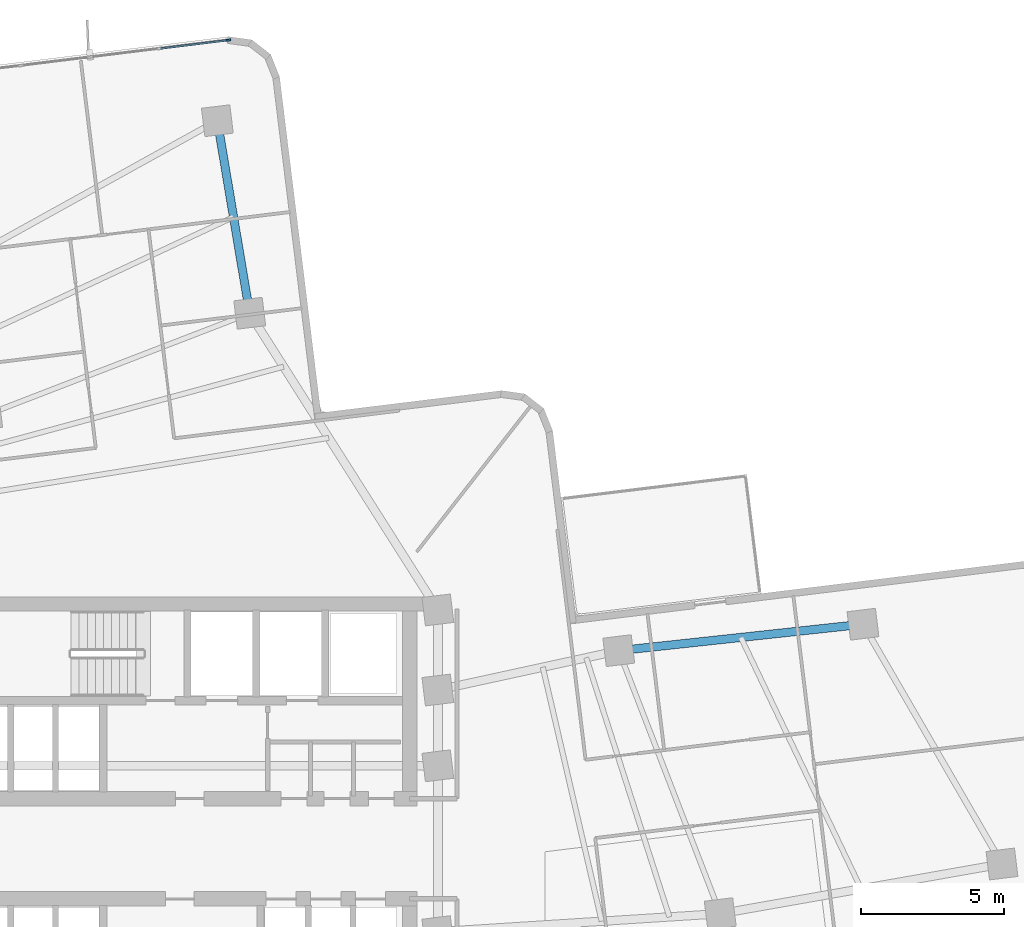
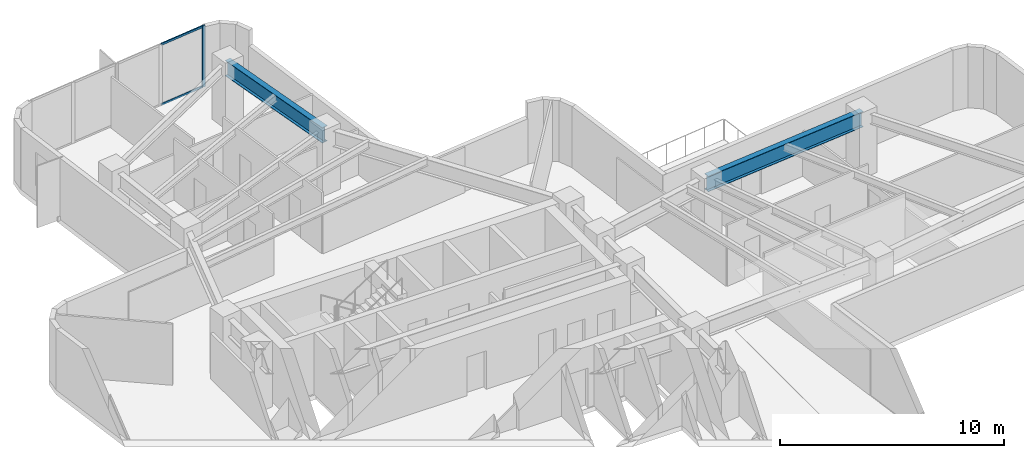
# One storey, part 5 of 13: 3 members, 2 beams, 1 element without a shape of its own.
"""IFC4 building model written with IfcOpenShell, lengths in metres."""

import ifcopenshell
import ifcopenshell.guid

model = None  # the IFC model being written
_history = None  # IfcOwnerHistory: only IFC2X3 demands one
_inside = {}  # id of a spatial element -> (the spatial element, [elements in it])
_under = {}  # id of a project, library or spatial element -> (it, [spatial elements below it])
_declared = {}  # id of a project -> (the project, [libraries it declares])
_typed = {}  # id of a type object -> (the type object, [elements of that type])
_made_of = {}  # id of a material, layer set ... -> (it, [elements and type objects made of it])


def new_model(schema):
    """Start an empty IFC model of exactly this schema.

    Asked for "IFC4X3", IfcOpenShell would pick the latest addendum, in which some entities
    have other attributes; the version numbers below select the first issue.
    IFC2X3 requires an IfcOwnerHistory on every rooted entity: one is made here for all.
    """
    global model, _history
    if schema == "IFC4X3":
        model = ifcopenshell.file(schema_version=(4, 3, 0, 0))
    else:
        model = ifcopenshell.file(schema=schema)
    _inside.clear()
    _under.clear()
    _declared.clear()
    _typed.clear()
    _made_of.clear()
    _history = None
    if model.schema == "IFC2X3":
        org = make("IfcOrganization", Name="unknown")
        user = make(
            "IfcPersonAndOrganization",
            ThePerson=make("IfcPerson", FamilyName="unknown"),
            TheOrganization=org,
        )
        app = make(
            "IfcApplication",
            ApplicationDeveloper=org,
            Version="unknown",
            ApplicationFullName="unknown",
            ApplicationIdentifier="unknown",
        )
        _history = make(
            "IfcOwnerHistory",
            OwningUser=user,
            OwningApplication=app,
            ChangeAction="ADDED",
            CreationDate=0,
        )
    return model


def make(cls, **values):
    """One entity of the class cls with the attributes given. An attribute that is None is left unset."""
    return model.create_entity(
        cls, **{name: value for name, value in values.items() if value is not None}
    )


def rooted(cls, **values):
    """An entity with a GlobalId (a new one), such as an element, a storey or a relation."""
    return make(cls, GlobalId=ifcopenshell.guid.new(), OwnerHistory=_history, **values)


def si_unit(unit_type, name, prefix=None):
    """IfcSIUnit, for example si_unit("LENGTHUNIT", "METRE", prefix="MILLI")."""
    return make("IfcSIUnit", UnitType=unit_type, Prefix=prefix, Name=name)


def assignment(units):
    """IfcUnitAssignment: the units of a project."""
    return None if units is None else make("IfcUnitAssignment", Units=units)


def point(xyz):
    """IfcCartesianPoint."""
    return None if xyz is None else make("IfcCartesianPoint", Coordinates=xyz)


def direction(xyz):
    """IfcDirection."""
    return None if xyz is None else make("IfcDirection", DirectionRatios=xyz)


def frame(location, z_axis=None, x_axis=None):
    """IfcAxis2Placement3D, a coordinate frame: its origin and axes. An axis left out is left unset."""
    return make(
        "IfcAxis2Placement3D",
        Location=point(location),
        Axis=direction(z_axis),
        RefDirection=direction(x_axis),
    )


def frame_2d(location, x_axis=None):
    """IfcAxis2Placement2D, a coordinate frame in the plane: its origin and x axis."""
    return make(
        "IfcAxis2Placement2D", Location=point(location), RefDirection=direction(x_axis)
    )


def origin():
    """The frame at (0, 0, 0) with its axes left unset."""
    return frame((0.0, 0.0, 0.0))


def origin_2d():
    """The frame at (0, 0) in the plane with its x axis left unset."""
    return frame_2d((0.0, 0.0))


def place(relative_to, where):
    """IfcLocalPlacement: puts the frame where relative to a parent placement (None: the world)."""
    return make(
        "IfcLocalPlacement", PlacementRelTo=relative_to, RelativePlacement=where
    )


def context(
    kind, dimensions, precision=None, world=None, true_north=None, identifier=None
):
    """IfcGeometricRepresentationContext, for example the 3D "Model" context."""
    return make(
        "IfcGeometricRepresentationContext",
        ContextIdentifier=identifier,
        ContextType=kind,
        CoordinateSpaceDimension=dimensions,
        Precision=precision,
        WorldCoordinateSystem=world,
        TrueNorth=true_north,
    )


def subcontext(parent, identifier, kind, view, scale=None):
    """IfcGeometricRepresentationSubContext, for example "Body" below "Model"."""
    return make(
        "IfcGeometricRepresentationSubContext",
        ContextIdentifier=identifier,
        ContextType=kind,
        ParentContext=parent,
        TargetScale=scale,
        TargetView=view,
    )


def project(units=None, contexts=None):
    """IfcProject with its units and contexts."""
    return rooted(
        "IfcProject",
        Name="project",
        RepresentationContexts=contexts,
        UnitsInContext=assignment(units),
    )


def spatial(cls, under=None, at=None, **own):
    """A site, building, storey or space (cls), placed at a placement, below another one or the project."""
    s = rooted(cls, ObjectPlacement=at, **own)
    if under is not None:
        _under.setdefault(under.id(), (under, []))[1].append(s)
    return s


def profile(cls, at=None, kind="AREA", **sizes):
    """A parametric profile (cls). Its sizes go by their IFC names, for example OverallWidth=200.0."""
    return make(cls, ProfileType=kind, Position=at, **sizes)


def rectangle(**sizes):
    """IfcRectangleProfileDef."""
    return profile("IfcRectangleProfileDef", **sizes)


def i_section(**sizes):
    """IfcIShapeProfileDef."""
    return profile("IfcIShapeProfileDef", **sizes)


def extrude(swept, where, along, depth):
    """IfcExtrudedAreaSolid: the profile swept, set in the frame where, extruded along a direction by depth."""
    return make(
        "IfcExtrudedAreaSolid",
        SweptArea=swept,
        Position=where,
        ExtrudedDirection=direction(along),
        Depth=depth,
    )


def shape(context_of_items, identifier, shape_type, items):
    """IfcShapeRepresentation: the items that make up one representation, for example the "Body"."""
    return make(
        "IfcShapeRepresentation",
        ContextOfItems=context_of_items,
        RepresentationIdentifier=identifier,
        RepresentationType=shape_type,
        Items=items,
    )


def material(Name=None, Category=None):
    """IfcMaterial."""
    return make("IfcMaterial", Name=Name, Category=Category)


def layer(
    of_material, thickness, ventilated=None, Name=None, Category=None, Priority=None
):
    """IfcMaterialLayer: one layer of a wall or slab, of a material (None: an air gap)."""
    return make(
        "IfcMaterialLayer",
        Material=of_material,
        LayerThickness=thickness,
        IsVentilated=ventilated,
        Name=Name,
        Category=Category,
        Priority=Priority,
    )


def layer_set(layers, Name=None):
    """IfcMaterialLayerSet."""
    return make("IfcMaterialLayerSet", MaterialLayers=layers, LayerSetName=Name)


def material_profile(
    of_material, cross_section, Name=None, Category=None, Priority=None
):
    """IfcMaterialProfile: a cross section and its material."""
    return make(
        "IfcMaterialProfile",
        Name=Name,
        Material=of_material,
        Profile=cross_section,
        Priority=Priority,
        Category=Category,
    )


def profile_set(profiles, Name=None, composite=None):
    """IfcMaterialProfileSet."""
    return make(
        "IfcMaterialProfileSet",
        Name=Name,
        MaterialProfiles=profiles,
        CompositeProfile=composite,
    )


def made_of(thing, what):
    """Note that an element or type object is made of a material, layer set ...; save() writes the relation."""
    if what is not None:
        _made_of.setdefault(what.id(), (what, []))[1].append(thing)
    return thing


def type_object(cls, material=None, **own):
    """A type object (cls), such as IfcWallType, which elements share."""
    return made_of(rooted(cls, **own), material)


def element(
    cls,
    number,
    at=None,
    inside=None,
    cuts=None,
    type_object=None,
    material=None,
    context=None,
    identifier="Body",
    shape_type=None,
    held_by="IfcProductDefinitionShape",
    body=None,
    shapes=None,
    **own,
):
    """One element of the class cls, such as IfcWall. Its Tag is "e" and its number.

    at: its placement. inside: the storey or other place that contains it. cuts: it is an
    opening in that element (IfcRelVoidsElement). A single representation is given by context,
    identifier, shape_type and body (its items); several are given by shapes. held_by: the class
    of the entity that holds the representations. save() writes the other relations.
    """
    e = rooted(cls, Tag="e%d" % number, ObjectPlacement=at, **own)
    if body is not None:
        shapes = [shape(context, identifier, shape_type, body)]
    if shapes is not None:
        e.Representation = make(held_by, Representations=shapes)
    if inside is not None:
        _inside.setdefault(inside.id(), (inside, []))[1].append(e)
    if cuts is not None:
        rooted(
            "IfcRelVoidsElement", RelatingBuildingElement=cuts, RelatedOpeningElement=e
        )
    if type_object is not None:
        _typed.setdefault(type_object.id(), (type_object, []))[1].append(e)
    return made_of(e, material)


def aggregate(whole, parts):
    """IfcRelAggregates: a whole, such as a stair, and the parts it consists of."""
    return rooted("IfcRelAggregates", RelatingObject=whole, RelatedObjects=parts)


def save(model, path):
    """Write the relations noted so far, then the file.

    IfcRelAggregates (storeys below a building ...), IfcRelContainedInSpatialStructure (elements
    in a storey), IfcRelDefinesByType, IfcRelAssociatesMaterial and IfcRelDeclares: one each for
    every whole, place, type object, material and project.
    """
    for whole, parts in _under.values():
        aggregate(whole, parts)
    for where, things in _inside.values():
        rooted(
            "IfcRelContainedInSpatialStructure",
            RelatedElements=things,
            RelatingStructure=where,
        )
    for kind, things in _typed.values():
        rooted("IfcRelDefinesByType", RelatedObjects=things, RelatingType=kind)
    for what, things in _made_of.values():
        rooted("IfcRelAssociatesMaterial", RelatedObjects=things, RelatingMaterial=what)
    for by, libraries in _declared.values():
        rooted("IfcRelDeclares", RelatingContext=by, RelatedDefinitions=libraries)
    model.write(path)


model = new_model("IFC4")

# Units and contexts
model_context = context("Model", 3, precision=1e-05, world=origin(), true_north=direction((0.0, 1.0)))
body_context = subcontext(model_context, "Body", "Model", "MODEL_VIEW")
ifc_project = project(units=[si_unit("LENGTHUNIT", "METRE"), si_unit("AREAUNIT", "SQUARE_METRE"), si_unit("VOLUMEUNIT", "CUBIC_METRE"), si_unit("PLANEANGLEUNIT", "RADIAN"), si_unit("MASSUNIT", "GRAM", prefix="KILO")], contexts=[model_context])

# Site, building, storey
site_placement = place(None, origin())
site = spatial("IfcSite", under=ifc_project, at=site_placement, CompositionType="ELEMENT")
building_placement = place(site_placement, origin())
building = spatial("IfcBuilding", under=site, at=building_placement, Name="Solmarez Civic Tower", CompositionType="ELEMENT")
storey_placement = place(building_placement, frame((0.0, 0.0, 82.080078125)))
storey = spatial("IfcBuildingStorey", under=building, at=storey_placement, Name="L21", CompositionType="ELEMENT", Elevation=82.080078125)

# Beams
ifc_material_1 = material(Name="Steel S355", Category="steel")
ifc_material_profile_1 = material_profile(ifc_material_1, i_section(OverallWidth=0.2919921875, OverallDepth=0.845947265625, WebThickness=0.015380859375, FlangeThickness=0.0244140625, at=origin_2d()), Name="W33X141")
ifc_profile_set_1 = profile_set([ifc_material_profile_1], Name="Steel S355")
beam_type = type_object("IfcBeamType", Name="BM-PR-W33X141", PredefinedType="BEAM", material=ifc_profile_set_1)
beam_1_placement = place(storey_placement, frame((15.175048828125, 6.927001953125, 2.9169921875), z_axis=(0.994196782435, 0.107576753045, 0.0), x_axis=(-0.107576753045, 0.994196782435, 0.0)))
element("IfcBeam", 1, at=beam_1_placement, inside=storey, type_object=beam_type, Name="L21 Primary Floor Beam BM-L21-EA-R2B", PredefinedType="BEAM", context=body_context, shape_type="SweptSolid", body=[
    extrude(i_section(OverallWidth=0.2919921875, OverallDepth=0.845947265625, WebThickness=0.015380859375, FlangeThickness=0.0244140625, at=origin_2d()), origin(), (0.0, 0.0, 1.0), 8.58984375),
])
beam_2_placement = place(storey_placement, frame((2.27099609375, 18.72412109375, 2.9169921875), z_axis=(-0.165813708215, 0.986157094062, 0.0), x_axis=(-0.986157094062, -0.165813708215, 0.0)))
element("IfcBeam", 2, at=beam_2_placement, inside=storey, type_object=beam_type, Name="L21 Primary Floor Beam BM-L21-NA-R2A", PredefinedType="BEAM", context=body_context, shape_type="SweptSolid", body=[
    extrude(i_section(OverallWidth=0.2919921875, OverallDepth=0.845947265625, WebThickness=0.015380859375, FlangeThickness=0.0244140625, at=origin_2d()), origin(), (0.0, 0.0, 1.0), 6.827392578125),
])

# Curtain wall, members
ifc_material_2 = material(Name="Bronze Anodised Aluminium EN AW-6063 T6", Category="aluminium")
ifc_layer = layer(ifc_material_2, 0.155029296875)
ifc_layer_set = layer_set([ifc_layer], Name="Bronze Anodised Aluminium EN AW-6063 T6")
curtain_wall_type = type_object("IfcCurtainWallType", Name="CW-SYS-6", PredefinedType="NOTDEFINED", material=ifc_layer_set)
curtain_wall_placement = place(storey_placement, origin())
curtain_wall = element("IfcCurtainWall", 3, at=curtain_wall_placement, inside=storey, type_object=curtain_wall_type, Name="L21 Stick-Built Curtain Wall 2", PredefinedType="NOTDEFINED")
ifc_material_profile_2 = material_profile(ifc_material_2, rectangle(XDim=0.070068359375, YDim=0.179931640625, at=origin_2d()), Name="CWM-70X180")
ifc_profile_set_2 = profile_set([ifc_material_profile_2], Name="Bronze Anodised Aluminium EN AW-6063 T6")
member_type_1 = type_object("IfcMemberType", Name="CWM-TYPE-2", PredefinedType="MULLION", material=ifc_profile_set_2)
member_1_placement = place(storey_placement, frame((1.519287109375, 28.275634765625, 0.0), z_axis=(0.0, 0.0, 1.0), x_axis=(-0.121861314359, 0.992547137451, 0.0)))
member_1 = element("IfcMember", 4, at=member_1_placement, type_object=member_type_1, Name="CWS6 mullion 5", PredefinedType="MULLION", context=body_context, shape_type="SweptSolid", body=[
    extrude(rectangle(XDim=0.070068359375, YDim=0.179931640625, at=origin_2d()), origin(), (0.0, 0.0, 1.0), 3.33984375),
])
ifc_material_profile_3 = material_profile(ifc_material_2, rectangle(XDim=0.06005859375, YDim=0.110107421875, at=origin_2d()), Name="CWT-60X110")
ifc_profile_set_3 = profile_set([ifc_material_profile_3], Name="Bronze Anodised Aluminium EN AW-6063 T6")
member_type_2 = type_object("IfcMemberType", Name="CWT-TYPE-3", PredefinedType="USERDEFINED", material=ifc_profile_set_3)
member_2_placement = place(storey_placement, frame((-0.842529296875, 27.98583984375, 0.030029296875), z_axis=(0.992550967804, 0.121830112498, 0.0), x_axis=(-0.121830112498, 0.992550967804, 0.0)))
member_2 = element("IfcMember", 5, at=member_2_placement, type_object=member_type_2, Name="CWS6 transom 4.1", ObjectType="TRANSOM", PredefinedType="USERDEFINED", context=body_context, shape_type="SweptSolid", body=[
    extrude(rectangle(XDim=0.06005859375, YDim=0.110107421875, at=origin_2d()), origin(), (0.0, 0.0, 1.0), 2.3447265625),
])
member_3_placement = place(storey_placement, frame((-0.842529296875, 27.98583984375, 3.309814453125), z_axis=(0.992550967804, 0.121830112498, 0.0), x_axis=(-0.121830112498, 0.992550967804, 0.0)))
member_3 = element("IfcMember", 6, at=member_3_placement, type_object=member_type_2, Name="CWS6 transom 4.2", ObjectType="TRANSOM", PredefinedType="USERDEFINED", context=body_context, shape_type="SweptSolid", body=[
    extrude(rectangle(XDim=0.06005859375, YDim=0.110107421875, at=origin_2d()), origin(), (0.0, 0.0, 1.0), 2.3447265625),
])
aggregate(curtain_wall, [member_1, member_2, member_3])

save(model, "model.ifc")
